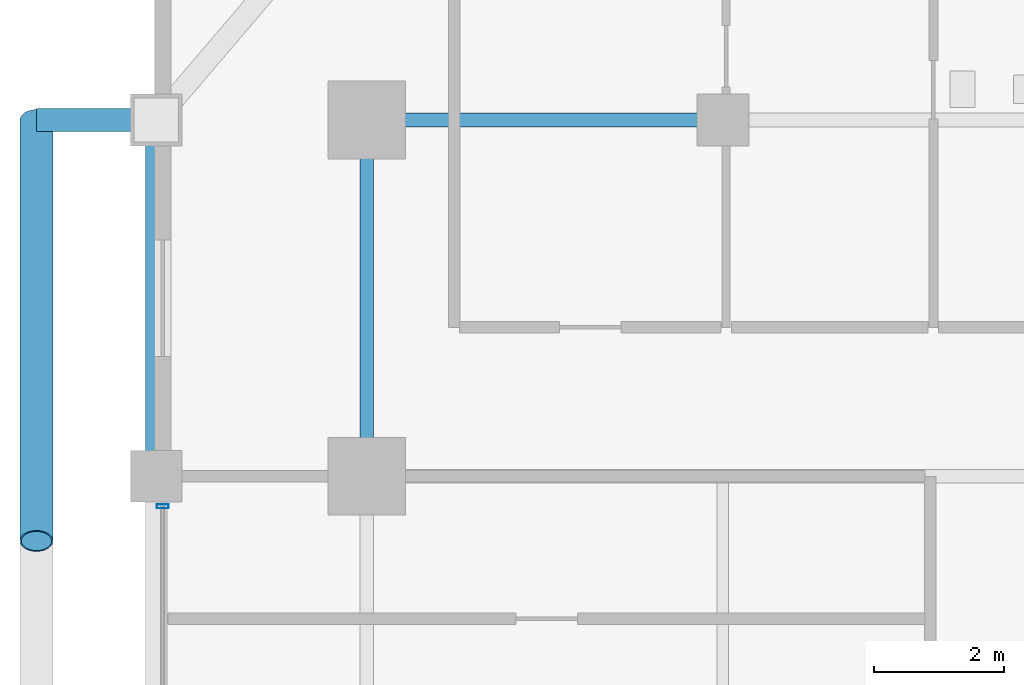
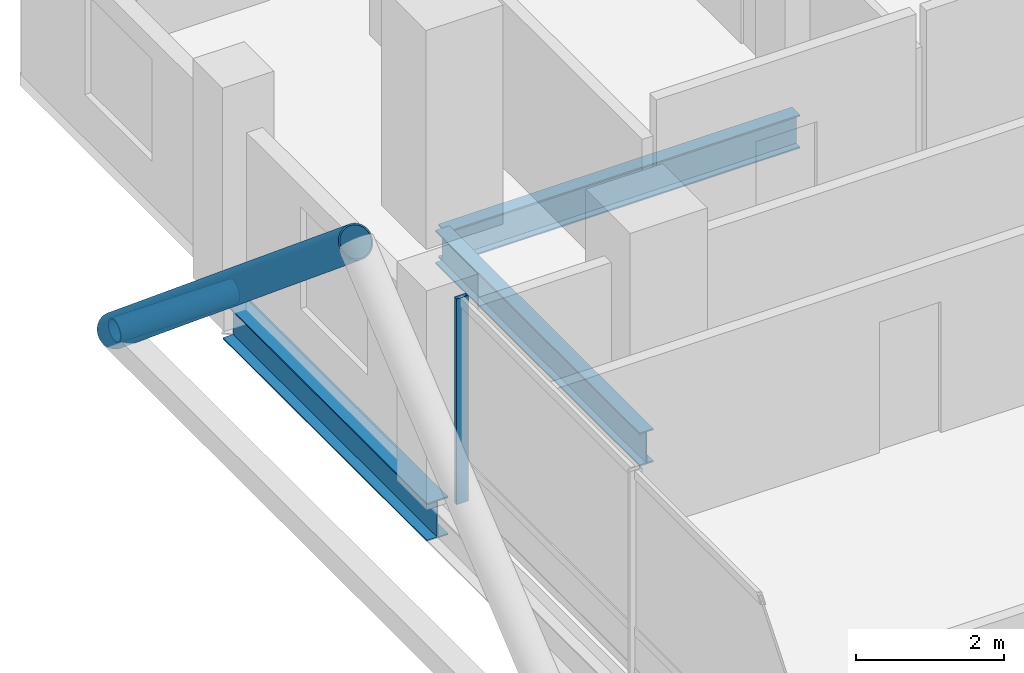
# One storey, part 12 of 25: 3 beams, 3 members, 1 element without a shape of its own.
"""IFC4 building model written with IfcOpenShell, lengths in metres."""

from ifc_helpers import new_model, si_unit, direction, frame, origin, origin_2d, place, context, subcontext, project, spatial, hollow_rectangle, hollow_circle, i_section, extrude, material, layer, layer_set, material_profile, profile_set, type_object, element, aggregate, save


model = new_model("IFC4")

# Units and contexts
model_context = context("Model", 3, precision=1e-05, world=origin(), true_north=direction((0.0, 1.0)))
body_context = subcontext(model_context, "Body", "Model", "MODEL_VIEW")
ifc_project = project(units=[si_unit("LENGTHUNIT", "METRE"), si_unit("AREAUNIT", "SQUARE_METRE"), si_unit("VOLUMEUNIT", "CUBIC_METRE"), si_unit("PLANEANGLEUNIT", "RADIAN"), si_unit("MASSUNIT", "GRAM", prefix="KILO")], contexts=[model_context])

# Site, building, storey
site_placement = place(None, origin())
site = spatial("IfcSite", under=ifc_project, at=site_placement, CompositionType="ELEMENT")
building_placement = place(site_placement, origin())
building = spatial("IfcBuilding", under=site, at=building_placement, Name="Barlavira Tower and Art Museum", CompositionType="ELEMENT")
storey_placement = place(building_placement, frame((0.0, 0.0, 144.0)))
storey = spatial("IfcBuildingStorey", under=building, at=storey_placement, Name="L36", CompositionType="ELEMENT", Elevation=144.0)

# Curtain wall, member
ifc_material_1 = material(Name="Low-iron coastal laminated glass", Category="glass")
ifc_layer = layer(ifc_material_1, 0.18994140625, Name="Low-iron coastal laminated glass")
ifc_layer_set = layer_set([ifc_layer], Name="Low-iron coastal laminated glass")
curtain_wall_type = type_object("IfcCurtainWallType", Name="Pale-Metal Unitised Curtain Wall Zone 2", PredefinedType="NOTDEFINED", material=ifc_layer_set)
curtain_wall_placement = place(storey_placement, origin())
curtain_wall = element("IfcCurtainWall", 1, at=curtain_wall_placement, inside=storey, type_object=curtain_wall_type, Name="L36 Curtain Wall CW2-L36-W-B3", PredefinedType="NOTDEFINED")
ifc_material_2 = material(Name="Pale anodised aluminium", Category="aluminium")
ifc_material_profile_1 = material_profile(ifc_material_2, hollow_rectangle(XDim=0.06494140625, YDim=0.179931640625, WallThickness=0.00390625, at=origin_2d()), Name="ALU-MULL 65x180x4")
ifc_profile_set_1 = profile_set([ifc_material_profile_1], Name="Pale anodised aluminium")
member_type_1 = type_object("IfcMemberType", Name="Curtain Wall Pale-Metal Mullion 65x180", PredefinedType="MULLION", material=ifc_profile_set_1)
member_1_placement = place(storey_placement, frame((-20.14990234375, 7.034912109375, 0.0), z_axis=(0.0, 0.0, 1.0), x_axis=(0.0, -1.0, 0.0)))
member_1 = element("IfcMember", 2, at=member_1_placement, type_object=member_type_1, Name="CW2-L36-W-B3 Mullion 0", PredefinedType="MULLION", context=body_context, shape_type="SweptSolid", body=[
    extrude(hollow_rectangle(XDim=0.06494140625, YDim=0.179931640625, WallThickness=0.00390625, at=origin_2d()), origin(), (0.0, 0.0, 1.0), 3.3798828125),
])
aggregate(curtain_wall, [member_1])

# Members
ifc_material_3 = material(Name="Steel S355", Category="steel")
ifc_material_profile_2 = material_profile(ifc_material_3, hollow_circle(Radius=0.25390625, WallThickness=0.022216796875, at=origin_2d()), Name="CHS 508.0x22.2")
ifc_profile_set_2 = profile_set([ifc_material_profile_2], Name="Steel S355")
member_type_2 = type_object("IfcMemberType", Name="Pale-Metal Exoskeleton Diagrid Tube CHS 508x22 Steel S355", PredefinedType="BRACE", material=ifc_profile_set_2)
member_2_placement = place(storey_placement, frame((-22.10009765625, 13.0, -0.1201171875), z_axis=(0.0, -0.76918185268, 0.639029950399), x_axis=(1.0, 0.0, 0.0)))
element("IfcMember", 3, at=member_2_placement, inside=storey, type_object=member_type_2, Name="L36 Exoskeleton Diagrid Tube W", PredefinedType="BRACE", context=body_context, shape_type="SweptSolid", body=[
    extrude(hollow_circle(Radius=0.25390625, WallThickness=0.022216796875, at=origin_2d()), origin(), (0.0, 0.0, 1.0), 8.450439453125),
])
ifc_material_profile_3 = material_profile(ifc_material_3, hollow_circle(Radius=0.177734375, WallThickness=0.01611328125, at=origin_2d()), Name="CHS 355.6x16.0")
ifc_profile_set_3 = profile_set([ifc_material_profile_3], Name="Steel S355")
member_type_3 = type_object("IfcMemberType", Name="Pale-Metal Exoskeleton Tie Strut CHS 356x16 Steel S355", PredefinedType="STRUT", material=ifc_profile_set_3)
member_3_placement = place(storey_placement, frame((-22.10009765625, 13.0, -0.1201171875), z_axis=(1.0, 0.0, 0.0), x_axis=(0.0, 1.0, 0.0)))
element("IfcMember", 4, at=member_3_placement, inside=storey, type_object=member_type_3, Name="L36 Exoskeleton Tie Strut W3", PredefinedType="STRUT", context=body_context, shape_type="SweptSolid", body=[
    extrude(hollow_circle(Radius=0.177734375, WallThickness=0.01611328125, at=origin_2d()), origin(), (0.0, 0.0, 1.0), 1.85009765625),
])

# Beams
ifc_material_profile_4 = material_profile(ifc_material_3, i_section(OverallWidth=0.327880859375, OverallDepth=0.62890625, WebThickness=0.013916015625, FlangeThickness=0.021484375, at=origin_2d()), Name="W610x174.0")
ifc_profile_set_4 = profile_set([ifc_material_profile_4], Name="Steel S355")
beam_type_1 = type_object("IfcBeamType", Name="Perimeter Spandrel Edge Beam W610x174 Steel S355", PredefinedType="SPANDREL", material=ifc_profile_set_4)
beam_placement = place(storey_placement, frame((-20.25, 7.5, -0.534423828125), z_axis=(0.0, 1.0, 0.0), x_axis=(-1.0, 0.0, 0.0)))
element("IfcBeam", 5, at=beam_placement, inside=storey, type_object=beam_type_1, Name="L36 Spandrel 13", PredefinedType="SPANDREL", context=body_context, shape_type="SweptSolid", body=[
    extrude(i_section(OverallWidth=0.327880859375, OverallDepth=0.62890625, WebThickness=0.013916015625, FlangeThickness=0.021484375, at=origin_2d()), origin(), (0.0, 0.0, 1.0), 5.5),
])
ifc_material_profile_5 = material_profile(ifc_material_3, i_section(OverallWidth=0.214111328125, OverallDepth=0.549072265625, WebThickness=0.0146484375, FlangeThickness=0.023681640625, at=origin_2d()), Name="W530x138.0")
ifc_profile_set_5 = profile_set([ifc_material_profile_5], Name="Steel S355")
beam_type_2 = type_object("IfcBeamType", Name="Zone 1 Primary Floor Girder W530x138 Steel S355", PredefinedType="BEAM", material=ifc_profile_set_5)
for number, where, z_axis, x_axis, name in (
    (6, (-17.0, 7.5, -0.494384765625), (0.0, 1.0, 0.0), (-1.0, 0.0, 0.0), "L36 Girder M-W3"),
    (7, (-17.0, 13.0, -0.494384765625), (1.0, 0.0, 0.0), (0.0, 1.0, 0.0), "L36 Girder I-N1"),
):
    element("IfcBeam", number, at=place(storey_placement, frame(where, z_axis=z_axis, x_axis=x_axis)), inside=storey, type_object=beam_type_2, Name=name, PredefinedType="BEAM", context=body_context, shape_type="SweptSolid", body=[
        extrude(i_section(OverallWidth=0.214111328125, OverallDepth=0.549072265625, WebThickness=0.0146484375, FlangeThickness=0.023681640625, at=origin_2d()), origin(), (0.0, 0.0, 1.0), 5.5),
    ])

save(model, "model.ifc")
